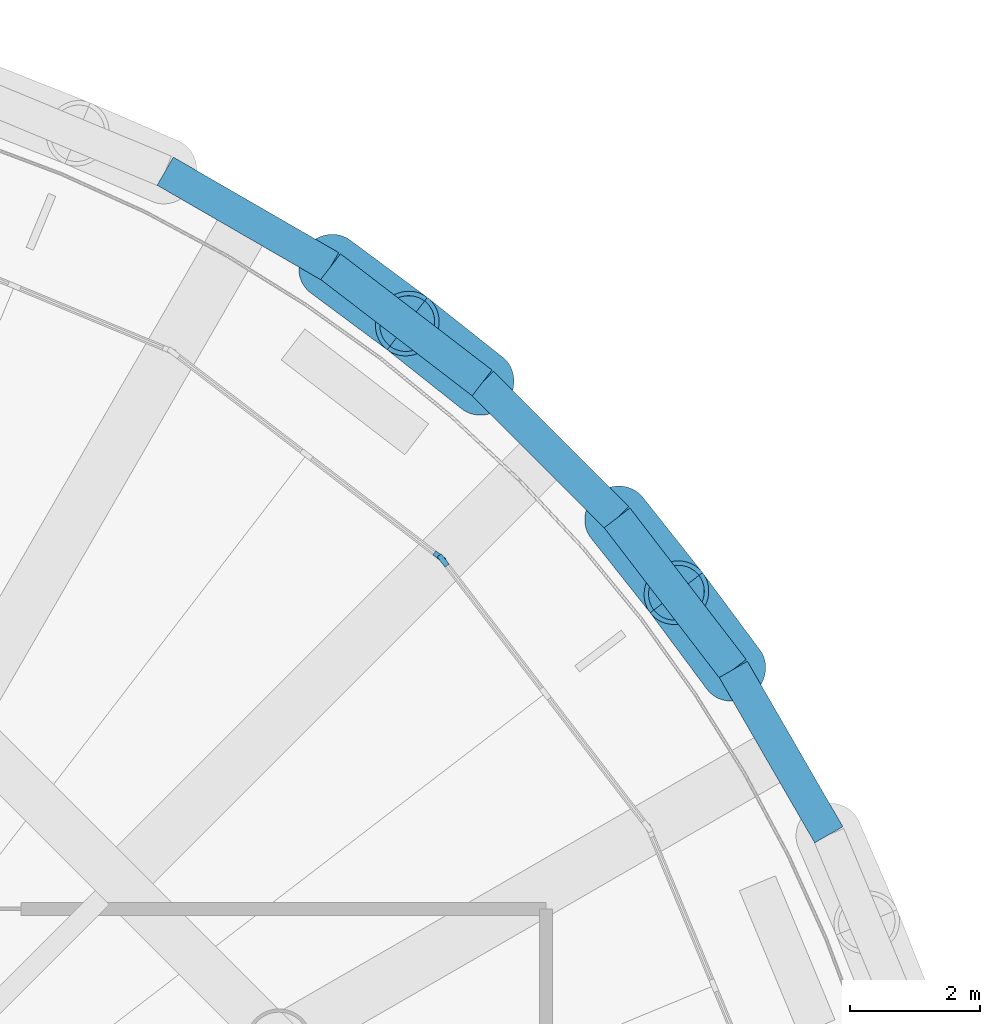
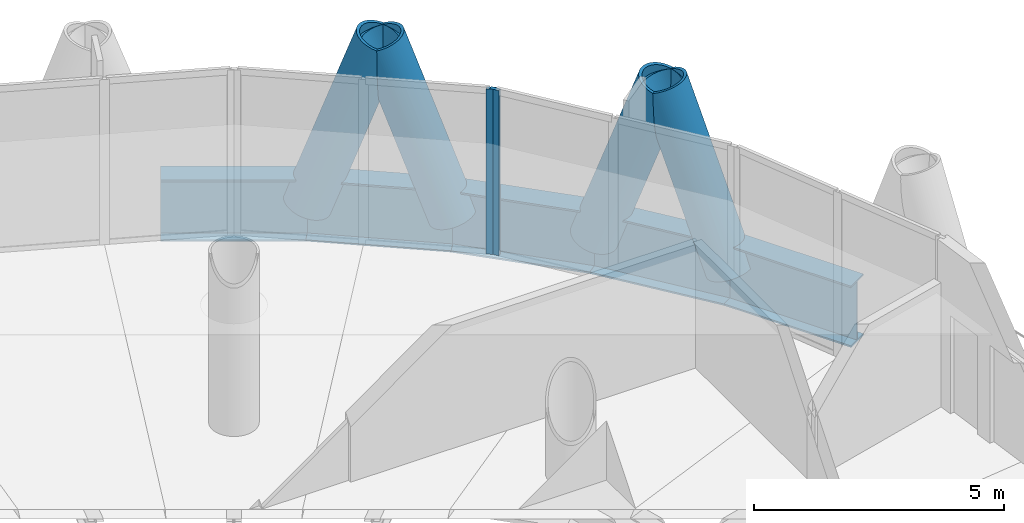
# One storey, part 7 of 15: 6 members, 5 beams, 2 elements without a shape of their own.
"""IFC4 building model written with IfcOpenShell, lengths in metres."""

from ifc_helpers import new_model, si_unit, direction, frame, origin, origin_2d, place, context, subcontext, project, spatial, rectangle, hollow_circle, i_section, extrude, material, material_profile, profile_set, type_object, element, aggregate, save


model = new_model("IFC4")

# Units and contexts
model_context = context("Model", 3, precision=1e-05, world=origin(), true_north=direction((0.0, 1.0)))
body_context = subcontext(model_context, "Body", "Model", "MODEL_VIEW")
ifc_project = project(units=[si_unit("LENGTHUNIT", "METRE"), si_unit("AREAUNIT", "SQUARE_METRE"), si_unit("VOLUMEUNIT", "CUBIC_METRE"), si_unit("PLANEANGLEUNIT", "RADIAN"), si_unit("MASSUNIT", "GRAM", prefix="KILO")], contexts=[model_context])

# Site, building, storey
site_placement = place(None, origin())
site = spatial("IfcSite", under=ifc_project, at=site_placement, CompositionType="ELEMENT")
building_placement = place(site_placement, origin())
building = spatial("IfcBuilding", under=site, at=building_placement, Name="Qaws Media Tower", CompositionType="ELEMENT")
storey_placement = place(building_placement, frame((0.0, 0.0, 231.800048828125)))
storey = spatial("IfcBuildingStorey", under=building, at=storey_placement, Name="L53", CompositionType="ELEMENT", Elevation=231.800048828125)

# Curtain wall, member
ifc_material_1 = material(Name="Aluminium and clear glass", Category="aluminium")
curtain_wall_type = type_object("IfcCurtainWallType", Name="Unitised curtain wall CW-C", PredefinedType="NOTDEFINED", material=ifc_material_1)
curtain_wall_1_placement = place(storey_placement, origin())
curtain_wall_1 = element("IfcCurtainWall", 1, at=curtain_wall_1_placement, inside=storey, type_object=curtain_wall_type, Name="CWC curtain wall L53-03", PredefinedType="NOTDEFINED")
ifc_material_2 = material(Name="Aluminium mullion", Category="aluminium")
ifc_material_profile_1 = material_profile(ifc_material_2, rectangle(XDim=0.080078125, YDim=0.199951171875, at=origin_2d()), Name="80x200")
ifc_profile_set_1 = profile_set([ifc_material_profile_1], Name="Aluminium mullion")
member_type_1 = type_object("IfcMemberType", Name="Curtain wall mullion 80x200", PredefinedType="MULLION", material=ifc_profile_set_1)
member_1_placement = place(storey_placement, frame((74.219482421875, 64.163330078125, 0.0), z_axis=(0.0, 0.0, 1.0), x_axis=(-0.79335339842, -0.608761353254, 0.0)))
member_1 = element("IfcMember", 2, at=member_1_placement, type_object=member_type_1, Name="CWC mullion 3", PredefinedType="MULLION", context=body_context, shape_type="SweptSolid", body=[
    extrude(rectangle(XDim=0.080078125, YDim=0.199951171875, at=origin_2d()), origin(), (0.0, 0.0, 1.0), 4.0400390625),
])
aggregate(curtain_wall_1, [member_1])

curtain_wall_2_placement = place(storey_placement, origin())
curtain_wall_2 = element("IfcCurtainWall", 3, at=curtain_wall_2_placement, inside=storey, type_object=curtain_wall_type, Name="CWC curtain wall L53-04", PredefinedType="NOTDEFINED")
member_2_placement = place(storey_placement, frame((74.163330078125, 64.219482421875, 0.0), z_axis=(0.0, 0.0, 1.0), x_axis=(-0.608761353254, -0.79335339842, 0.0)))
member_2 = element("IfcMember", 4, at=member_2_placement, type_object=member_type_1, Name="CWC mullion 1", PredefinedType="MULLION", context=body_context, shape_type="SweptSolid", body=[
    extrude(rectangle(XDim=0.080078125, YDim=0.199951171875, at=origin_2d()), origin(), (0.0, 0.0, 1.0), 4.0400390625),
])
aggregate(curtain_wall_2, [member_2])

# Members
ifc_material_3 = material(Name="Steel S460", Category="steel")
ifc_material_profile_2 = material_profile(ifc_material_3, hollow_circle(Radius=0.508056640625, WallThickness=0.070068359375, at=origin_2d()), Name="CHS 1016x70")
ifc_profile_set_2 = profile_set([ifc_material_profile_2], Name="Steel S460")
member_type_2 = type_object("IfcMemberType", Name="Diagrid member CHS 1016x70", PredefinedType="USERDEFINED", material=ifc_profile_set_2)
member_3_placement = place(storey_placement, frame((78.687255859375, 62.486328125, -0.91015625), z_axis=(-0.196954799022, 0.265258064978, 0.943846897598), x_axis=(-0.802880095878, -0.596140546888, 0.0)))
element("IfcMember", 5, at=member_3_placement, inside=storey, type_object=member_type_2, Name="DG3 diagrid L53 A03", ObjectType="DIAGRID", PredefinedType="USERDEFINED", context=body_context, shape_type="SweptSolid", body=[
    extrude(hollow_circle(Radius=0.508056640625, WallThickness=0.070068359375, at=origin_2d()), origin(), (0.0, 0.0, 1.0), 4.4501953125),
])
for number, where, z_axis, x_axis, name in (
    (6, (74.81884765625, 66.897705078125, -0.91015625), (-0.25889748056, 0.20518681443, 0.943859346377), (-0.621123982271, -0.783712318806, 0.0), "DG3 diagrid L53 A04"),
    (7, (76.897705078125, 64.81884765625, -0.91015625), (0.20518681443, -0.25889748056, 0.943859346377), (0.783712318806, 0.621123982271, 0.0), "DG3 diagrid L53 B04"),
):
    element("IfcMember", number, at=place(storey_placement, frame(where, z_axis=z_axis, x_axis=x_axis)), inside=storey, type_object=member_type_2, Name=name, ObjectType="DIAGRID", PredefinedType="USERDEFINED", context=body_context, shape_type="SweptSolid", body=[
        extrude(hollow_circle(Radius=0.508056640625, WallThickness=0.070068359375, at=origin_2d()), origin(), (0.0, 0.0, 1.0), 4.449951171875),
    ])
member_4_placement = place(storey_placement, frame((72.486328125, 68.687255859375, -0.91015625), z_axis=(0.265258064978, -0.196954799022, 0.943846897598), x_axis=(0.596140546888, 0.802880095878, 0.0)))
element("IfcMember", 8, at=member_4_placement, inside=storey, type_object=member_type_2, Name="DG3 diagrid L53 B05", ObjectType="DIAGRID", PredefinedType="USERDEFINED", context=body_context, shape_type="SweptSolid", body=[
    extrude(hollow_circle(Radius=0.508056640625, WallThickness=0.070068359375, at=origin_2d()), origin(), (0.0, 0.0, 1.0), 4.4501953125),
])

# Beams
ifc_material_4 = material(Name="Steel S460", Category="steel")
ifc_material_profile_3 = material_profile(ifc_material_4, i_section(OverallWidth=0.5, OverallDepth=1.5, WebThickness=0.02001953125, FlangeThickness=0.0400390625, at=origin_2d()), Name="PG 1500x500")
ifc_profile_set_3 = profile_set([ifc_material_profile_3], Name="Steel S460")
beam_type = type_object("IfcBeamType", Name="Edge ring beam PG 1500x500", PredefinedType="BEAM", material=ifc_profile_set_3)
beam_1_placement = place(storey_placement, frame((80.1572265625, 59.9404296875, -0.91015625), z_axis=(-0.500024377727, 0.866011328839, 0.0), x_axis=(-0.866011328839, -0.500024377727, 0.0)))
element("IfcBeam", 9, at=beam_1_placement, inside=storey, type_object=beam_type, Name="RB4 edge ring beam L53-04", PredefinedType="BEAM", context=body_context, shape_type="SweptSolid", body=[
    extrude(i_section(OverallWidth=0.5, OverallDepth=1.5, WebThickness=0.02001953125, FlangeThickness=0.0400390625, at=origin_2d()), origin(), (0.0, 0.0, 1.0), 2.939697265625),
])
for number, where, z_axis, x_axis, name in (
    (10, (78.687255859375, 62.486328125, -0.91015625), (-0.608706961847, 0.793395131444, 0.0), (-0.793395131444, -0.608706961847, 0.0), "RB4 edge ring beam L53-05"),
    (11, (76.897705078125, 64.81884765625, -0.91015625), (-0.707106781187, 0.707106781187, 0.0), (-0.707106781187, -0.707106781187, 0.0), "RB4 edge ring beam L53-06"),
    (12, (74.81884765625, 66.897705078125, -0.91015625), (-0.793395131444, 0.608706961847, 0.0), (-0.608706961847, -0.793395131444, 0.0), "RB4 edge ring beam L53-07"),
):
    element("IfcBeam", number, at=place(storey_placement, frame(where, z_axis=z_axis, x_axis=x_axis)), inside=storey, type_object=beam_type, Name=name, PredefinedType="BEAM", context=body_context, shape_type="SweptSolid", body=[
        extrude(i_section(OverallWidth=0.5, OverallDepth=1.5, WebThickness=0.02001953125, FlangeThickness=0.0400390625, at=origin_2d()), origin(), (0.0, 0.0, 1.0), 2.93994140625),
    ])
beam_2_placement = place(storey_placement, frame((72.486328125, 68.687255859375, -0.91015625), z_axis=(-0.866011328839, 0.500024377727, 0.0), x_axis=(-0.500024377727, -0.866011328839, 0.0)))
element("IfcBeam", 13, at=beam_2_placement, inside=storey, type_object=beam_type, Name="RB4 edge ring beam L53-08", PredefinedType="BEAM", context=body_context, shape_type="SweptSolid", body=[
    extrude(i_section(OverallWidth=0.5, OverallDepth=1.5, WebThickness=0.02001953125, FlangeThickness=0.0400390625, at=origin_2d()), origin(), (0.0, 0.0, 1.0), 2.939697265625),
])

save(model, "model.ifc")
